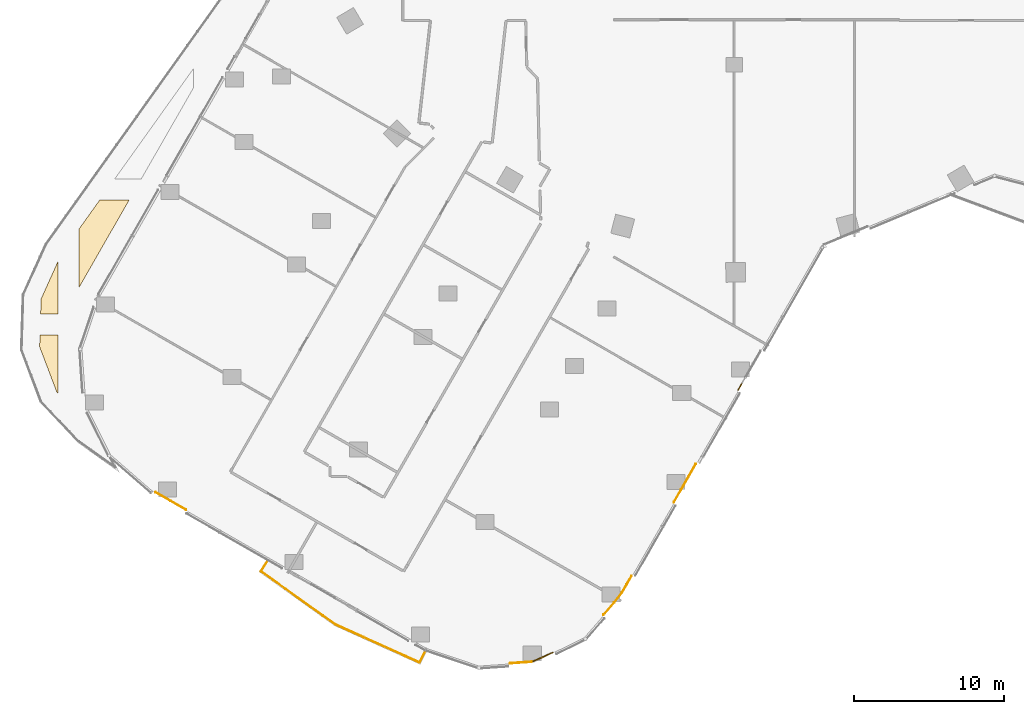
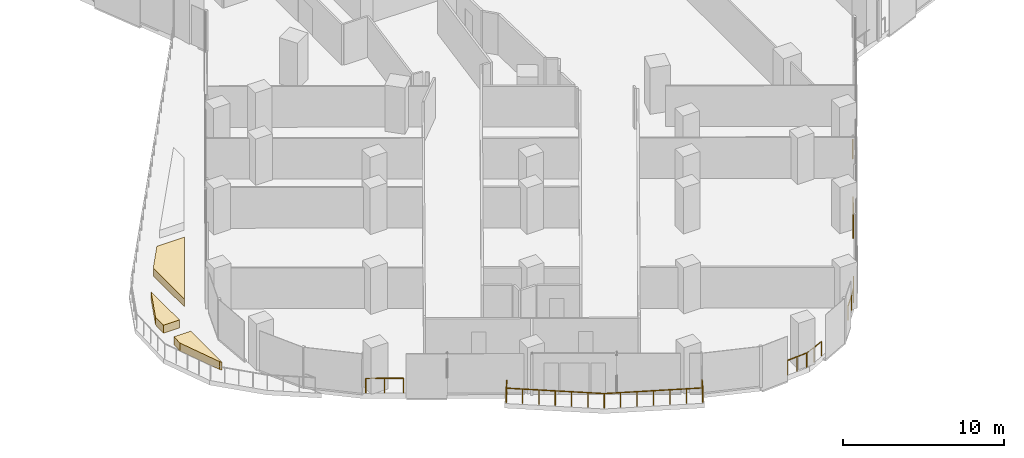
# One storey, part 29 of 34: 7 railings, 3 coverings.
"""IFC4 building model written with IfcOpenShell, lengths in metres."""

from ifc_helpers import new_model, si_unit, direction, frame, origin, origin_2d, place, context, subcontext, project, spatial, polyline, circle, outline, extrude, material, layer, layer_set, type_object, element, save


model = new_model("IFC4")

# Units and contexts
model_context = context("Model", 3, precision=1e-05, world=origin(), true_north=direction((0.0, 1.0)))
body_context = subcontext(model_context, "Body", "Model", "MODEL_VIEW")
ifc_project = project(units=[si_unit("LENGTHUNIT", "METRE"), si_unit("AREAUNIT", "SQUARE_METRE"), si_unit("VOLUMEUNIT", "CUBIC_METRE"), si_unit("PLANEANGLEUNIT", "RADIAN"), si_unit("MASSUNIT", "GRAM", prefix="KILO")], contexts=[model_context])

# Site, building, storey
site_placement = place(None, origin())
site = spatial("IfcSite", under=ifc_project, at=site_placement, CompositionType="ELEMENT")
building_placement = place(site_placement, origin())
building = spatial("IfcBuilding", under=site, at=building_placement, Name="Orlundy Tower", CompositionType="ELEMENT")
storey_placement = place(building_placement, frame((0.0, 0.0, 102.199951171875)))
storey = spatial("IfcBuildingStorey", under=building, at=storey_placement, Name="L25", CompositionType="ELEMENT", Elevation=102.199951171875)

# Coverings
ifc_material_1 = material(Name="Planted soil in precast concrete trough", Category="concrete")
ifc_layer = layer(ifc_material_1, 0.60009765625)
ifc_layer_set = layer_set([ifc_layer], Name="PLANTER box")
covering_type = type_object("IfcCoveringType", Name="PLANTER box", PredefinedType="USERDEFINED", material=ifc_layer_set)
covering_1_placement = place(storey_placement, origin())
element("IfcCovering", 1, at=covering_1_placement, inside=storey, type_object=covering_type, Name="PLANTER L25-20", ObjectType="PLANTER", PredefinedType="USERDEFINED", context=body_context, shape_type="SweptSolid", body=[
    extrude(outline(polyline([(-46.202880859375, -36.0), (-45.0, -36.0), (-45.0, -39.85693359375), (-45.095947265625, -39.7548828125), (-46.22705078125, -36.77099609375), (-46.202880859375, -36.0)])), origin(), (0.0, 0.0, 1.0), 0.60009765625),
])
covering_2_placement = place(storey_placement, origin())
element("IfcCovering", 2, at=covering_2_placement, inside=storey, type_object=covering_type, Name="PLANTER L25-21", ObjectType="PLANTER", PredefinedType="USERDEFINED", context=body_context, shape_type="SweptSolid", body=[
    extrude(outline(polyline([(-46.12890625, -33.5830078125), (-45.0, -31.077880859375), (-45.0, -34.60009765625), (-46.159912109375, -34.60009765625), (-46.12890625, -33.5830078125)])), origin(), (0.0, 0.0, 1.0), 0.60009765625),
])
covering_3_placement = place(storey_placement, origin())
element("IfcCovering", 3, at=covering_3_placement, inside=storey, type_object=covering_type, Name="PLANTER L25-22", ObjectType="PLANTER", PredefinedType="USERDEFINED", context=body_context, shape_type="SweptSolid", body=[
    extrude(outline(polyline([(-42.22802734375, -27.0), (-40.26904296875, -27.0), (-43.60009765625, -32.81201171875), (-43.60009765625, -28.924072265625), (-42.22802734375, -27.0)])), origin(), (0.0, 0.0, 1.0), 0.60009765625),
])

# Railings
ifc_material_2 = material(Name="Stainless steel bronze finish", Category="steel")
railing_type = type_object("IfcRailingType", Name="TG1 terrace guard", PredefinedType="GUARDRAIL", material=ifc_material_2)
railing_1_placement = place(storey_placement, frame((-6.834228515625, -52.039794921875, 0.0)))
element("IfcRailing", 4, at=railing_1_placement, inside=storey, type_object=railing_type, Name="Guard TG-L25-E03", PredefinedType="GUARDRAIL", context=body_context, shape_type="SweptSolid", body=[
    extrude(circle(Radius=0.02490234375, at=origin_2d()), frame((0.0, 0.0, 1.09521484375), z_axis=(-0.497477711105, -0.86747675874, 0.0), x_axis=(0.86747675874, -0.497477711105, 0.0)), (0.0, 0.0, 1.0), 1.25634765625),
    extrude(circle(Radius=0.02490234375, at=origin_2d()), frame((-0.625, -1.08984375, 1.09521484375), z_axis=(-0.622019149364, -0.78300202926, 0.0), x_axis=(0.78300202926, -0.622019149364, 0.0)), (0.0, 0.0, 1.0), 0.835693359375),
    extrude(circle(Radius=0.02490234375, at=origin_2d()), frame((-1.144775390625, -1.744140625, 1.09521484375), z_axis=(-0.657171106372, -0.753741425788, 0.0), x_axis=(0.753741425788, -0.657171106372, 0.0)), (0.0, 0.0, 1.0), 1.089599609375),
    extrude(circle(Radius=0.02001953125, at=origin_2d()), origin(), (0.0, 0.0, 1.0), 1.070068359375),
    extrude(circle(Radius=0.02001953125, at=origin_2d()), frame((-0.3125, -0.544921875, 0.0)), (0.0, 0.0, 1.0), 1.070068359375),
    extrude(circle(Radius=0.02001953125, at=origin_2d()), frame((-0.625, -1.08984375, 0.0)), (0.0, 0.0, 1.0), 1.070068359375),
    extrude(circle(Radius=0.02001953125, at=origin_2d()), frame((-1.144775390625, -1.744140625, 0.0)), (0.0, 0.0, 1.0), 1.070068359375),
    extrude(circle(Radius=0.02001953125, at=origin_2d()), frame((-1.86083984375, -2.5654296875, 0.0)), (0.0, 0.0, 1.0), 1.070068359375),
])
railing_2_placement = place(storey_placement, frame((-13.482421875, -57.73974609375, 0.0)))
element("IfcRailing", 5, at=railing_2_placement, inside=storey, type_object=railing_type, Name="Guard TG-L25-E08", PredefinedType="GUARDRAIL", context=body_context, shape_type="SweptSolid", body=[
    extrude(circle(Radius=0.02490234375, at=origin_2d()), frame((0.0, 0.0, 1.09521484375), z_axis=(0.915591989706, 0.402108577857, 0.0), x_axis=(-0.402108577857, 0.915591989706, 0.0)), (0.0, 0.0, 1.0), 1.55859375),
    extrude(circle(Radius=0.02490234375, at=origin_2d()), frame((1.427001953125, 0.626708984375, 1.09521484375), z_axis=(-0.895588019174, -0.4448843669, 0.0), x_axis=(0.4448843669, -0.895588019174, 0.0)), (0.0, 0.0, 1.0), 0.839111328125),
    extrude(circle(Radius=0.02490234375, at=origin_2d()), frame((0.675537109375, 0.25341796875, 1.09521484375), z_axis=(-0.936207751628, -0.351447073955, 0.0), x_axis=(0.351447073955, -0.936207751628, 0.0)), (0.0, 0.0, 1.0), 0.661376953125),
    extrude(circle(Radius=0.02001953125, at=origin_2d()), origin(), (0.0, 0.0, 1.0), 1.070068359375),
    extrude(circle(Radius=0.02001953125, at=origin_2d()), frame((0.71337890625, 0.3134765625, 0.0)), (0.0, 0.0, 1.0), 1.070068359375),
    extrude(circle(Radius=0.02001953125, at=origin_2d()), frame((1.427001953125, 0.626708984375, 0.0)), (0.0, 0.0, 1.0), 1.070068359375),
    extrude(circle(Radius=0.02001953125, at=origin_2d()), frame((0.675537109375, 0.25341796875, 0.0)), (0.0, 0.0, 1.0), 1.070068359375),
    extrude(circle(Radius=0.02001953125, at=origin_2d()), frame((0.056396484375, 0.02099609375, 0.0)), (0.0, 0.0, 1.0), 1.070068359375),
])
railing_3_placement = place(storey_placement, frame((-2.55517578125, -44.578125, 0.0)))
element("IfcRailing", 6, at=railing_3_placement, inside=storey, type_object=railing_type, Name="Guard TG-L25-E011", PredefinedType="GUARDRAIL", context=body_context, shape_type="SweptSolid", body=[
    extrude(circle(Radius=0.02490234375, at=origin_2d()), frame((0.0, 0.0, 1.09521484375), z_axis=(-0.497513965783, -0.86745596652, 0.0), x_axis=(0.86745596652, -0.497513965783, 0.0)), (0.0, 0.0, 1.0), 2.92431640625),
    extrude(circle(Radius=0.02001953125, at=origin_2d()), origin(), (0.0, 0.0, 1.0), 1.070068359375),
    extrude(circle(Radius=0.02001953125, at=origin_2d()), frame((-0.48486328125, -0.845458984375, 0.0)), (0.0, 0.0, 1.0), 1.070068359375),
    extrude(circle(Radius=0.02001953125, at=origin_2d()), frame((-0.969970703125, -1.691162109375, 0.0)), (0.0, 0.0, 1.0), 1.070068359375),
    extrude(circle(Radius=0.02001953125, at=origin_2d()), frame((-1.454833984375, -2.53662109375, 0.0)), (0.0, 0.0, 1.0), 1.070068359375),
])
railing_4_placement = place(storey_placement, frame((-36.4853515625, -47.619384765625, 0.0)))
element("IfcRailing", 7, at=railing_4_placement, inside=storey, type_object=railing_type, Name="Guard TG-L25-E019", PredefinedType="GUARDRAIL", context=body_context, shape_type="SweptSolid", body=[
    extrude(circle(Radius=0.02490234375, at=origin_2d()), frame((0.0, 0.0, 1.09521484375), z_axis=(-0.867510012299, 0.497419720719, 0.0), x_axis=(-0.497419720719, -0.867510012299, 0.0)), (0.0, 0.0, 1.0), 2.339111328125),
    extrude(circle(Radius=0.02001953125, at=origin_2d()), origin(), (0.0, 0.0, 1.0), 1.070068359375),
    extrude(circle(Radius=0.02001953125, at=origin_2d()), frame((-1.0146484375, 0.581787109375, 0.0)), (0.0, 0.0, 1.0), 1.070068359375),
    extrude(circle(Radius=0.02001953125, at=origin_2d()), frame((-2.029296875, 1.16357421875, 0.0)), (0.0, 0.0, 1.0), 1.070068359375),
])
railing_5_placement = place(storey_placement, frame((-13.482421875, -57.73974609375, 0.0)))
element("IfcRailing", 8, at=railing_5_placement, inside=storey, type_object=railing_type, Name="Guard TG-L25-E023", PredefinedType="GUARDRAIL", context=body_context, shape_type="SweptSolid", body=[
    extrude(circle(Radius=0.02490234375, at=origin_2d()), frame((0.0, 0.0, 1.09521484375), z_axis=(-0.997650102734, -0.068514761294, 0.0), x_axis=(0.068514761294, -0.997650102734, 0.0)), (0.0, 0.0, 1.0), 1.428955078125),
    extrude(circle(Radius=0.02001953125, at=origin_2d()), origin(), (0.0, 0.0, 1.0), 1.070068359375),
    extrude(circle(Radius=0.02001953125, at=origin_2d()), frame((-0.712890625, -0.048828125, 0.0)), (0.0, 0.0, 1.0), 1.070068359375),
    extrude(circle(Radius=0.02001953125, at=origin_2d()), frame((-1.425537109375, -0.097900390625, 0.0)), (0.0, 0.0, 1.0), 1.070068359375),
])
railing_6_placement = place(storey_placement, frame((0.53515625, -39.189208984375, 0.0)))
element("IfcRailing", 9, at=railing_6_placement, inside=storey, type_object=railing_type, Name="Guard TG-L25-E030", PredefinedType="GUARDRAIL", context=body_context, shape_type="SweptSolid", body=[
    extrude(circle(Radius=0.02490234375, at=origin_2d()), frame((0.0, 0.0, 1.09521484375), z_axis=(-0.497476469857, -0.867477470565, 0.0), x_axis=(0.867477470565, -0.497476469857, 0.0)), (0.0, 0.0, 1.0), 0.530517578125),
    extrude(circle(Radius=0.02001953125, at=origin_2d()), origin(), (0.0, 0.0, 1.0), 1.070068359375),
    extrude(circle(Radius=0.02001953125, at=origin_2d()), frame((-0.263916015625, -0.460205078125, 0.0)), (0.0, 0.0, 1.0), 1.070068359375),
])
railing_7_placement = place(storey_placement, frame((-20.53173828125, -56.993408203125, 0.0)))
element("IfcRailing", 10, at=railing_7_placement, inside=storey, type_object=railing_type, Name="Guard TG-L25-10", PredefinedType="GUARDRAIL", context=body_context, shape_type="SweptSolid", body=[
    extrude(circle(Radius=0.02490234375, at=origin_2d()), frame((0.0, 0.0, 1.09521484375), z_axis=(-0.455183354565, -0.890397727831, 0.0), x_axis=(0.890397727831, -0.455183354565, 0.0)), (0.0, 0.0, 1.0), 0.892578125),
    extrude(circle(Radius=0.02490234375, at=origin_2d()), frame((-0.40625, -0.794677734375, 1.09521484375), z_axis=(-0.911582666138, 0.411116823782, 0.0), x_axis=(-0.411116823782, -0.911582666138, 0.0)), (0.0, 0.0, 1.0), 6.139892578125),
    extrude(circle(Radius=0.02490234375, at=origin_2d()), frame((-6.003173828125, 1.7294921875, 1.09521484375), z_axis=(-0.814006531008, 0.580855720017, 0.0), x_axis=(-0.580855720017, -0.814006531008, 0.0)), (0.0, 0.0, 1.0), 6.099609375),
    extrude(circle(Radius=0.02490234375, at=origin_2d()), frame((-10.96826171875, 5.2724609375, 1.09521484375), z_axis=(0.540322264475, 0.8414581692, 0.0), x_axis=(-0.8414581692, 0.540322264475, 0.0)), (0.0, 0.0, 1.0), 0.87890625),
    extrude(circle(Radius=0.02001953125, at=origin_2d()), origin(), (0.0, 0.0, 1.0), 1.070068359375),
    extrude(circle(Radius=0.02001953125, at=origin_2d()), frame((-0.40625, -0.794677734375, 0.0)), (0.0, 0.0, 1.0), 1.070068359375),
    extrude(circle(Radius=0.02001953125, at=origin_2d()), frame((-1.339111328125, -0.3740234375, 0.0)), (0.0, 0.0, 1.0), 1.070068359375),
    extrude(circle(Radius=0.02001953125, at=origin_2d()), frame((-2.27197265625, 0.046630859375, 0.0)), (0.0, 0.0, 1.0), 1.070068359375),
    extrude(circle(Radius=0.02001953125, at=origin_2d()), frame((-3.20458984375, 0.46728515625, 0.0)), (0.0, 0.0, 1.0), 1.070068359375),
    extrude(circle(Radius=0.02001953125, at=origin_2d()), frame((-4.137451171875, 0.88818359375, 0.0)), (0.0, 0.0, 1.0), 1.070068359375),
    extrude(circle(Radius=0.02001953125, at=origin_2d()), frame((-5.0703125, 1.308837890625, 0.0)), (0.0, 0.0, 1.0), 1.070068359375),
    extrude(circle(Radius=0.02001953125, at=origin_2d()), frame((-6.003173828125, 1.7294921875, 0.0)), (0.0, 0.0, 1.0), 1.070068359375),
    extrude(circle(Radius=0.02001953125, at=origin_2d()), frame((-6.83056640625, 2.320068359375, 0.0)), (0.0, 0.0, 1.0), 1.070068359375),
    extrude(circle(Radius=0.02001953125, at=origin_2d()), frame((-7.658203125, 2.910400390625, 0.0)), (0.0, 0.0, 1.0), 1.070068359375),
    extrude(circle(Radius=0.02001953125, at=origin_2d()), frame((-8.48583984375, 3.5009765625, 0.0)), (0.0, 0.0, 1.0), 1.070068359375),
    extrude(circle(Radius=0.02001953125, at=origin_2d()), frame((-9.313232421875, 4.091552734375, 0.0)), (0.0, 0.0, 1.0), 1.070068359375),
    extrude(circle(Radius=0.02001953125, at=origin_2d()), frame((-10.140625, 4.681884765625, 0.0)), (0.0, 0.0, 1.0), 1.070068359375),
    extrude(circle(Radius=0.02001953125, at=origin_2d()), frame((-10.96826171875, 5.2724609375, 0.0)), (0.0, 0.0, 1.0), 1.070068359375),
    extrude(circle(Radius=0.02001953125, at=origin_2d()), frame((-10.493408203125, 6.011962890625, 0.0)), (0.0, 0.0, 1.0), 1.070068359375),
])

save(model, "model.ifc")
